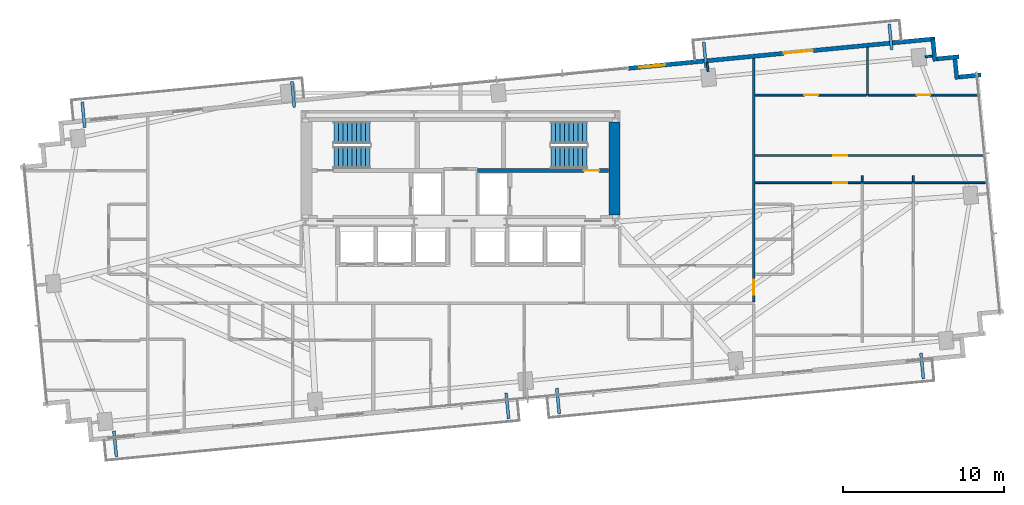
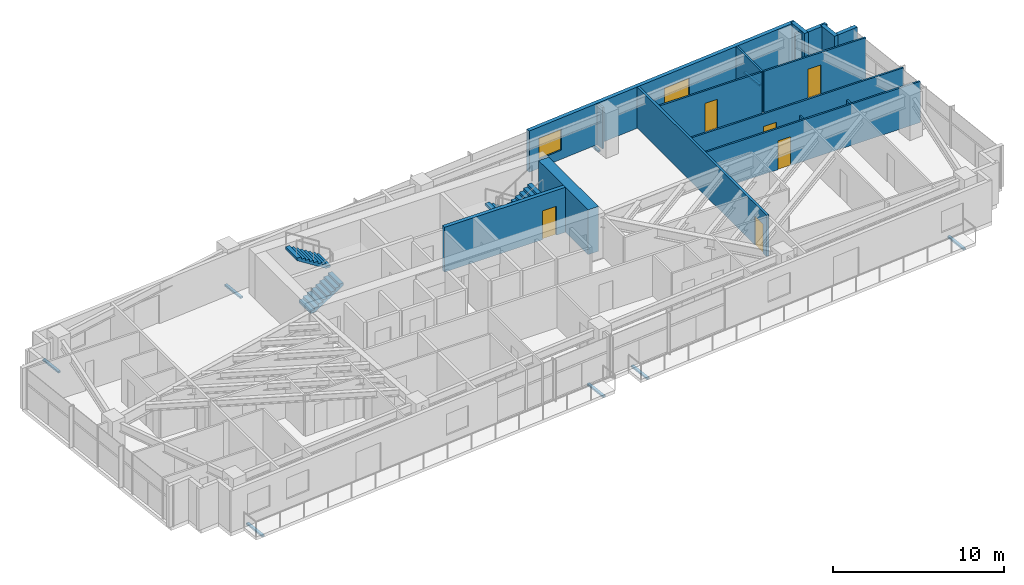
# One storey, part 22 of 25: 17 walls, 8 discrete accessories, 7 doors, 4 stair flights, 1 window, 8 openings, 2 elements without a shape of their own.
"""IFC4 building model written with IfcOpenShell, lengths in metres."""

from ifc_helpers import new_model, si_unit, direction, frame, frame_2d, origin, origin_2d, place, context, subcontext, project, spatial, polyline, rectangle, outline, extrude, source, transform, mapped, material, layer, layer_set, type_object, type_shapes, element, fill, aggregate, save


model = new_model("IFC4")

# Units and contexts
model_context = context("Model", 3, precision=1e-05, world=origin(), true_north=direction((0.0, 1.0)))
body_context = subcontext(model_context, "Body", "Model", "MODEL_VIEW")
ifc_project = project(units=[si_unit("LENGTHUNIT", "METRE"), si_unit("AREAUNIT", "SQUARE_METRE"), si_unit("VOLUMEUNIT", "CUBIC_METRE"), si_unit("PLANEANGLEUNIT", "RADIAN"), si_unit("MASSUNIT", "GRAM", prefix="KILO")], contexts=[model_context])

# Site, building, storey
site_placement = place(None, origin())
site = spatial("IfcSite", under=ifc_project, at=site_placement, CompositionType="ELEMENT")
building_placement = place(site_placement, origin())
building = spatial("IfcBuilding", under=site, at=building_placement, Name="Astriad Promenade Condominiums", CompositionType="ELEMENT")
storey_placement = place(building_placement, frame((0.0, 0.0, 81.0)))
storey = spatial("IfcBuildingStorey", under=building, at=storey_placement, Name="L22", CompositionType="ELEMENT", Elevation=81.0)

# Wall
ifc_material_1 = material(Name="Concrete C60/75", Category="concrete")
ifc_layer_1 = layer(ifc_material_1, 0.699951171875)
ifc_layer_set_1 = layer_set([ifc_layer_1], Name="Concrete C60/75")
wall_type_1 = type_object("IfcWallType", Name="CW-SHEAR-700", PredefinedType="SHEAR", material=ifc_layer_set_1)
wall_1_placement = place(storey_placement, frame((45.550048828125, 17.802001953125, 0.0), z_axis=(0.0, 0.0, 1.0), x_axis=(0.0, 1.0, 0.0)))
element("IfcWall", 1, at=wall_1_placement, inside=storey, type_object=wall_type_1, Name="CW-CORE-E-L22", PredefinedType="SHEAR", context=body_context, shape_type="SweptSolid", body=[
    extrude(rectangle(XDim=5.7958984375, YDim=0.699951171875, at=frame_2d((2.89794921875, 0.0))), origin(), (0.0, 0.0, 1.0), 3.199951171875),
])

# Wall, opening, door
ifc_material_2 = material(Name="Concrete C50/60", Category="concrete")
ifc_layer_2 = layer(ifc_material_2, 0.25)
ifc_layer_set_2 = layer_set([ifc_layer_2], Name="Concrete C50/60")
wall_type_2 = type_object("IfcWallType", Name="WALL-CORE-INT-250", PredefinedType="SOLIDWALL", material=ifc_layer_set_2)
wall_2_placement = place(storey_placement, frame((37.050048828125, 20.574951171875, 0.0), z_axis=(0.0, 0.0, 1.0), x_axis=(1.0, 0.0, 0.0)))
wall_2 = element("IfcWall", 2, at=wall_2_placement, inside=storey, type_object=wall_type_2, Name="CW-INT-H2-L22", PredefinedType="SOLIDWALL", context=body_context, shape_type="SweptSolid", body=[
    extrude(rectangle(XDim=8.14794921875, YDim=0.25, at=frame_2d((4.073974609375, 0.0))), origin(), (0.0, 0.0, 1.0), 3.199951171875),
])
opening_1_placement = place(wall_2_placement, frame((6.60009765625, 0.0, 0.0)))
opening_1 = element("IfcOpeningElement", 3, at=opening_1_placement, cuts=wall_2, Name="Opening FD90-ST-095", PredefinedType="OPENING", context=body_context, shape_type="SweptSolid", body=[
    extrude(rectangle(XDim=0.949951171875, YDim=2.06005859375, at=frame_2d((0.47509765625, 1.030029296875))), frame((0.0, 0.135009765625, 0.0), z_axis=(0.0, -1.0, 0.0), x_axis=(1.0, 0.0, 0.0)), (0.0, 0.0, 1.0), 0.27001953125),
])
ifc_material_3 = material(Name="Fire-Rated Hollow Metal Stair Door")
door_type_1 = type_object("IfcDoorType", Name="FD90-ST-095", OperationType="NOTDEFINED", PredefinedType="DOOR", material=ifc_material_3)
shared_shape_1 = source(origin(), body_context, "Body", "SweptSolid", [
    extrude(rectangle(XDim=0.949951171875, YDim=2.06005859375, at=frame_2d((0.47509765625, 1.030029296875))), frame((0.0, 0.02490234375, 0.0), z_axis=(0.0, -1.0, 0.0), x_axis=(1.0, 0.0, 0.0)), (0.0, 0.0, 1.0), 0.050048828125),
])
type_shapes(door_type_1, [shared_shape_1])
door_1_placement = place(opening_1_placement, origin())
door_1 = element("IfcDoor", 4, at=door_1_placement, inside=storey, type_object=door_type_1, Name="D-ST2-L22", OperationType="SINGLE_SWING_RIGHT", OverallHeight=2.06005859375, OverallWidth=0.949951171875, PredefinedType="DOOR", context=body_context, shape_type="MappedRepresentation", body=[
    mapped(shared_shape_1, transform((0.0, 0.0, 0.0), scale=1.0)),
])
fill(opening_1, door_1)

ifc_material_4 = material(Name="Fire-Rated Gypsum Partition")
ifc_layer_3 = layer(ifc_material_4, 0.159912109375)
ifc_layer_set_3 = layer_set([ifc_layer_3], Name="Fire-Rated Gypsum Partition")
wall_type_3 = type_object("IfcWallType", Name="WALL-CORR-160", PredefinedType="PARTITIONING", material=ifc_layer_set_3)
wall_3_placement = place(storey_placement, frame((54.199951171875, 12.431884765625, 0.0), z_axis=(0.0, 0.0, 1.0), x_axis=(0.0, 1.0, 0.0)))
wall_3 = element("IfcWall", 5, at=wall_3_placement, inside=storey, type_object=wall_type_3, Name="PT-COR-E-L22-S2", PredefinedType="PARTITIONING", context=body_context, shape_type="SweptSolid", body=[
    extrude(rectangle(XDim=15.095458984375, YDim=0.159912109375, at=frame_2d((7.5478515625, 0.0))), origin(), (0.0, 0.0, 1.0), 2.93994140625),
])
opening_2_placement = place(wall_3_placement, frame((0.428955078125, 0.0, 0.0)))
opening_2 = element("IfcOpeningElement", 6, at=opening_2_placement, cuts=wall_3, Name="Opening FD60-APT-095", PredefinedType="OPENING", context=body_context, shape_type="SweptSolid", body=[
    extrude(rectangle(XDim=0.949951171875, YDim=2.06005859375, at=frame_2d((0.47509765625, 1.030029296875))), frame((0.0, 0.08984375, 0.0), z_axis=(0.0, -1.0, 0.0), x_axis=(1.0, 0.0, 0.0)), (0.0, 0.0, 1.0), 0.179931640625),
])
ifc_material_5 = material(Name="Solid-Core Acoustic Timber Residence Entry Door", Category="wood")
door_type_2 = type_object("IfcDoorType", Name="FD60-APT-095", OperationType="NOTDEFINED", PredefinedType="DOOR", material=ifc_material_5)
shared_shape_2 = source(origin(), body_context, "Body", "SweptSolid", [
    extrude(rectangle(XDim=0.949951171875, YDim=2.06005859375, at=frame_2d((0.47509765625, 1.030029296875))), frame((0.0, 0.02490234375, 0.0), z_axis=(0.0, -1.0, 0.0), x_axis=(1.0, 0.0, 0.0)), (0.0, 0.0, 1.0), 0.050048828125),
])
type_shapes(door_type_2, [shared_shape_2])
door_2_placement = place(opening_2_placement, origin())
door_2 = element("IfcDoor", 7, at=door_2_placement, inside=storey, type_object=door_type_2, Name="D-ENT-L22-E1", OperationType="SINGLE_SWING_LEFT", OverallHeight=2.06005859375, OverallWidth=0.949951171875, PredefinedType="DOOR", context=body_context, shape_type="MappedRepresentation", body=[
    mapped(shared_shape_2, transform((0.0, 0.0, 0.0), scale=1.0)),
])
fill(opening_2, door_2)

# Wall, openings, door, window
ifc_material_6 = material(Name="Precast concrete C50/60", Category="concrete")
ifc_layer_4 = layer(ifc_material_6, 0.260009765625)
ifc_layer_set_4 = layer_set([ifc_layer_4], Name="Precast concrete C50/60")
wall_type_4 = type_object("IfcWallType", Name="WALL-EXT-TWR-260", PredefinedType="STANDARD", material=ifc_layer_set_4)
wall_4_placement = place(storey_placement, frame((46.40625, 26.90966796875, 0.0), z_axis=(0.0, 0.0, 1.0), x_axis=(0.995396638587, 0.095841180552, 0.0)))
wall_4 = element("IfcWall", 8, at=wall_4_placement, inside=storey, type_object=wall_type_4, Name="W-EXT-L22-N2", PredefinedType="STANDARD", context=body_context, shape_type="SweptSolid", body=[
    extrude(rectangle(XDim=19.110107421875, YDim=0.260009765625, at=frame_2d((9.55517578125, 0.0))), origin(), (0.0, 0.0, 1.0), 2.93994140625),
])
opening_3_placement = place(wall_4_placement, frame((9.68994140625, 0.0, 0.0)))
opening_3 = element("IfcOpeningElement", 9, at=opening_3_placement, cuts=wall_4, Name="Opening BD-1822-SLD", PredefinedType="OPENING", context=body_context, shape_type="SweptSolid", body=[
    extrude(rectangle(XDim=1.800048828125, YDim=2.06005859375, at=frame_2d((0.89990234375, 1.030029296875))), frame((0.0, 0.139892578125, 0.0), z_axis=(0.0, -1.0, 0.0), x_axis=(1.0, 0.0, 0.0)), (0.0, 0.0, 1.0), 0.280029296875),
])
opening_4_placement = place(wall_4_placement, frame((0.699951171875, 0.0, 0.64990234375)))
opening_4 = element("IfcOpeningElement", 10, at=opening_4_placement, cuts=wall_4, Name="Opening WIN-TWR-1620", PredefinedType="OPENING", context=body_context, shape_type="SweptSolid", body=[
    extrude(rectangle(XDim=1.60009765625, YDim=1.5, at=frame_2d((0.800048828125, 0.75))), frame((0.0, 0.139892578125, 0.0), z_axis=(0.0, -1.0, 0.0), x_axis=(1.0, 0.0, 0.0)), (0.0, 0.0, 1.0), 0.280029296875),
])
ifc_material_7 = material(Name="Thermally Broken Aluminium Sliding Balcony Door", Category="aluminium")
door_type_3 = type_object("IfcDoorType", Name="BD-1822-SLD", OperationType="NOTDEFINED", PredefinedType="DOOR", material=ifc_material_7)
shared_shape_3 = source(origin(), body_context, "Body", "SweptSolid", [
    extrude(rectangle(XDim=1.800048828125, YDim=2.06005859375, at=frame_2d((0.89990234375, 1.030029296875))), frame((0.0, 0.02490234375, 0.0), z_axis=(0.0, -1.0, 0.0), x_axis=(1.0, 0.0, 0.0)), (0.0, 0.0, 1.0), 0.050048828125),
])
type_shapes(door_type_3, [shared_shape_3])
door_3_placement = place(opening_3_placement, origin())
door_3 = element("IfcDoor", 11, at=door_3_placement, inside=storey, type_object=door_type_3, Name="BD-L22-NE", OperationType="SLIDING_TO_RIGHT", OverallHeight=2.06005859375, OverallWidth=1.800048828125, PredefinedType="DOOR", context=body_context, shape_type="MappedRepresentation", body=[
    mapped(shared_shape_3, transform((0.0, 0.0, 0.0), scale=1.0)),
])
fill(opening_3, door_3)
ifc_material_8 = material(Name="Dark Tinted Triple-Glazed Aluminium Window", Category="aluminium")
window_type = type_object("IfcWindowType", Name="WIN-TWR-1620", PartitioningType="SINGLE_PANEL", PredefinedType="WINDOW", material=ifc_material_8)
shared_shape_4 = source(origin(), body_context, "Body", "SweptSolid", [
    extrude(rectangle(XDim=1.60009765625, YDim=1.5, at=frame_2d((0.800048828125, 0.75))), frame((0.0, 0.030029296875, 0.0), z_axis=(0.0, -1.0, 0.0), x_axis=(1.0, 0.0, 0.0)), (0.0, 0.0, 1.0), 0.06005859375),
])
type_shapes(window_type, [shared_shape_4])
window_placement = place(opening_4_placement, origin())
window = element("IfcWindow", 12, at=window_placement, inside=storey, type_object=window_type, Name="WIN-L22-NE", OverallHeight=1.5, OverallWidth=1.60009765625, PartitioningType="SINGLE_PANEL", PredefinedType="WINDOW", context=body_context, shape_type="MappedRepresentation", body=[
    mapped(shared_shape_4, transform((0.0, 0.0, 0.0), scale=1.0)),
])
fill(opening_4, window)

# Walls
for number, where, z_axis, x_axis, name in (
    (13, (65.297607421875, 28.74365234375, 0.0), (0.0, 0.0, 1.0), (0.095725744959, -0.99540774648, 0.0), "W-SER-L22-09"),
    (14, (65.533203125, 27.49560546875, 0.0), (0.0, 0.0, 1.0), (0.99540774648, 0.095725744959, 0.0), "W-SER-L22-10"),
):
    element("IfcWall", number, at=place(storey_placement, frame(where, z_axis=z_axis, x_axis=x_axis)), inside=storey, type_object=wall_type_4, Name=name, PredefinedType="STANDARD", context=body_context, shape_type="SweptSolid", body=[
        extrude(rectangle(XDim=1.39501953125, YDim=0.260009765625, at=frame_2d((0.697509765625, 0.0))), origin(), (0.0, 0.0, 1.0), 2.93994140625),
    ])
wall_5_placement = place(storey_placement, frame((66.66162109375, 27.619140625, 0.0), z_axis=(0.0, 0.0, 1.0), x_axis=(0.095742423056, -0.99540614245, 0.0)))
element("IfcWall", 15, at=wall_5_placement, inside=storey, type_object=wall_type_4, Name="W-SER-L22-11", PredefinedType="STANDARD", context=body_context, shape_type="SweptSolid", body=[
    extrude(rectangle(XDim=1.394775390625, YDim=0.260009765625, at=frame_2d((0.697265625, 0.0))), origin(), (0.0, 0.0, 1.0), 2.93994140625),
])
wall_6_placement = place(storey_placement, frame((66.897216796875, 26.37109375, 0.0), z_axis=(0.0, 0.0, 1.0), x_axis=(0.995391056452, 0.09589913835, 0.0)))
element("IfcWall", 16, at=wall_6_placement, inside=storey, type_object=wall_type_4, Name="W-SER-L22-12", PredefinedType="STANDARD", context=body_context, shape_type="SweptSolid", body=[
    extrude(rectangle(XDim=1.39501953125, YDim=0.260009765625, at=frame_2d((0.697509765625, 0.0))), origin(), (0.0, 0.0, 1.0), 2.93994140625),
])
ifc_material_9 = material(Name="Acoustic Metal-Stud Gypsum Partition")
ifc_layer_5 = layer(ifc_material_9, 0.1201171875)
ifc_layer_set_5 = layer_set([ifc_layer_5], Name="Acoustic Metal-Stud Gypsum Partition")
wall_type_5 = type_object("IfcWallType", Name="WALL-PART-120", PredefinedType="PARTITIONING", material=ifc_layer_set_5)
wall_7_placement = place(storey_placement, frame((61.2451171875, 25.2548828125, 0.0), z_axis=(0.0, 0.0, 1.0), x_axis=(0.0, 1.0, 0.0)))
element("IfcWall", 17, at=wall_7_placement, inside=storey, type_object=wall_type_5, Name="PT-L22-E1-B1M", PredefinedType="PARTITIONING", context=body_context, shape_type="SweptSolid", body=[
    extrude(rectangle(XDim=2.950927734375, YDim=0.1201171875, at=frame_2d((1.4755859375, 0.0))), origin(), (0.0, 0.0, 1.0), 2.93994140625),
])

# Wall, opening, door
wall_8_placement = place(storey_placement, frame((54.281982421875, 25.2548828125, 0.0), z_axis=(0.0, 0.0, 1.0), x_axis=(1.0, 0.0, 0.0)))
wall_8 = element("IfcWall", 18, at=wall_8_placement, inside=storey, type_object=wall_type_5, Name="PT-L22-E1-B1", PredefinedType="PARTITIONING", context=body_context, shape_type="SweptSolid", body=[
    extrude(rectangle(XDim=6.901123046875, YDim=0.1201171875, at=frame_2d((3.45068359375, 0.0))), origin(), (0.0, 0.0, 1.0), 2.93994140625),
])
opening_5_placement = place(wall_8_placement, frame((3.055908203125, 0.0, 0.0)))
opening_5 = element("IfcOpeningElement", 19, at=opening_5_placement, cuts=wall_8, Name="Opening D-INT-085", PredefinedType="OPENING", context=body_context, shape_type="SweptSolid", body=[
    extrude(rectangle(XDim=0.85009765625, YDim=2.050048828125, at=frame_2d((0.425048828125, 1.02490234375))), frame((0.0, 0.070068359375, 0.0), z_axis=(0.0, -1.0, 0.0), x_axis=(1.0, 0.0, 0.0)), (0.0, 0.0, 1.0), 0.14013671875),
])
ifc_material_10 = material(Name="Painted Solid-Core Timber Room Door", Category="wood")
door_type_4 = type_object("IfcDoorType", Name="D-INT-085", OperationType="NOTDEFINED", PredefinedType="DOOR", material=ifc_material_10)
shared_shape_5 = source(origin(), body_context, "Body", "SweptSolid", [
    extrude(rectangle(XDim=0.85009765625, YDim=2.050048828125, at=frame_2d((0.425048828125, 1.02490234375))), frame((0.0, 0.02490234375, 0.0), z_axis=(0.0, -1.0, 0.0), x_axis=(1.0, 0.0, 0.0)), (0.0, 0.0, 1.0), 0.050048828125),
])
type_shapes(door_type_4, [shared_shape_5])
door_4_placement = place(opening_5_placement, origin())
door_4 = element("IfcDoor", 20, at=door_4_placement, inside=storey, type_object=door_type_4, Name="D-BD1-L22-E1", OperationType="SINGLE_SWING_RIGHT", OverallHeight=2.050048828125, OverallWidth=0.85009765625, PredefinedType="DOOR", context=body_context, shape_type="MappedRepresentation", body=[
    mapped(shared_shape_5, transform((0.0, 0.0, 0.0), scale=1.0)),
])
fill(opening_5, door_4)

wall_9_placement = place(storey_placement, frame((61.306884765625, 25.2548828125, 0.0), z_axis=(0.0, 0.0, 1.0), x_axis=(1.0, 0.0, 0.0)))
wall_9 = element("IfcWall", 21, at=wall_9_placement, inside=storey, type_object=wall_type_5, Name="PT-L22-E1-B1-S2", PredefinedType="PARTITIONING", context=body_context, shape_type="SweptSolid", body=[
    extrude(rectangle(XDim=6.888427734375, YDim=0.1201171875, at=frame_2d((3.4443359375, 0.0))), origin(), (0.0, 0.0, 1.0), 2.93994140625),
])
opening_6_placement = place(wall_9_placement, frame((2.9951171875, 0.0, 0.0)))
opening_6 = element("IfcOpeningElement", 22, at=opening_6_placement, cuts=wall_9, Name="Opening D-INT-085", PredefinedType="OPENING", context=body_context, shape_type="SweptSolid", body=[
    extrude(rectangle(XDim=0.85009765625, YDim=2.050048828125, at=frame_2d((0.425048828125, 1.02490234375))), frame((0.0, 0.070068359375, 0.0), z_axis=(0.0, -1.0, 0.0), x_axis=(1.0, 0.0, 0.0)), (0.0, 0.0, 1.0), 0.14013671875),
])
door_5_placement = place(opening_6_placement, origin())
door_5 = element("IfcDoor", 23, at=door_5_placement, inside=storey, type_object=door_type_4, Name="D-BD1B-L22-E1", OperationType="SINGLE_SWING_LEFT", OverallHeight=2.050048828125, OverallWidth=0.85009765625, PredefinedType="DOOR", context=body_context, shape_type="MappedRepresentation", body=[
    mapped(shared_shape_5, transform((0.0, 0.0, 0.0), scale=1.0)),
])
fill(opening_6, door_5)

wall_10_placement = place(storey_placement, frame((54.281982421875, 21.5048828125, 0.0), z_axis=(0.0, 0.0, 1.0), x_axis=(1.0, 0.0, 0.0)))
wall_10 = element("IfcWall", 24, at=wall_10_placement, inside=storey, type_object=wall_type_5, Name="PT-L22-E1-WDN1", PredefinedType="PARTITIONING", context=body_context, shape_type="SweptSolid", body=[
    extrude(rectangle(XDim=14.2744140625, YDim=0.1201171875, at=frame_2d((7.13720703125, 0.0))), origin(), (0.0, 0.0, 1.0), 2.93994140625),
])
opening_7_placement = place(wall_10_placement, frame((4.85302734375, 0.0, 0.0)))
opening_7 = element("IfcOpeningElement", 25, at=opening_7_placement, cuts=wall_10, Name="Opening D-INT-085", PredefinedType="OPENING", context=body_context, shape_type="SweptSolid", body=[
    extrude(rectangle(XDim=0.85009765625, YDim=2.050048828125, at=frame_2d((0.425048828125, 1.02490234375))), frame((0.0, 0.070068359375, 0.0), z_axis=(0.0, -1.0, 0.0), x_axis=(1.0, 0.0, 0.0)), (0.0, 0.0, 1.0), 0.14013671875),
])
door_6_placement = place(opening_7_placement, origin())
door_6 = element("IfcDoor", 26, at=door_6_placement, inside=storey, type_object=door_type_4, Name="D-WDN1-L22-E1", OperationType="SINGLE_SWING_RIGHT", OverallHeight=2.050048828125, OverallWidth=0.85009765625, PredefinedType="DOOR", context=body_context, shape_type="MappedRepresentation", body=[
    mapped(shared_shape_5, transform((0.0, 0.0, 0.0), scale=1.0)),
])
fill(opening_7, door_6)

wall_11_placement = place(storey_placement, frame((54.281982421875, 19.818115234375, 0.0), z_axis=(0.0, 0.0, 1.0), x_axis=(1.0, 0.0, 0.0)))
wall_11 = element("IfcWall", 27, at=wall_11_placement, inside=storey, type_object=wall_type_5, Name="PT-L22-E1-WDN3", PredefinedType="PARTITIONING", context=body_context, shape_type="SweptSolid", body=[
    extrude(rectangle(XDim=14.436767578125, YDim=0.1201171875, at=frame_2d((7.21826171875, 0.0))), origin(), (0.0, 0.0, 1.0), 2.93994140625),
])
opening_8_placement = place(wall_11_placement, frame((4.85302734375, 0.0, 0.0)))
opening_8 = element("IfcOpeningElement", 28, at=opening_8_placement, cuts=wall_11, Name="Opening D-INT-085", PredefinedType="OPENING", context=body_context, shape_type="SweptSolid", body=[
    extrude(rectangle(XDim=0.85009765625, YDim=2.050048828125, at=frame_2d((0.425048828125, 1.02490234375))), frame((0.0, 0.070068359375, 0.0), z_axis=(0.0, -1.0, 0.0), x_axis=(1.0, 0.0, 0.0)), (0.0, 0.0, 1.0), 0.14013671875),
])
door_7_placement = place(opening_8_placement, origin())
door_7 = element("IfcDoor", 29, at=door_7_placement, inside=storey, type_object=door_type_4, Name="D-WDN3-L22-E1", OperationType="SINGLE_SWING_RIGHT", OverallHeight=2.050048828125, OverallWidth=0.85009765625, PredefinedType="DOOR", context=body_context, shape_type="MappedRepresentation", body=[
    mapped(shared_shape_5, transform((0.0, 0.0, 0.0), scale=1.0)),
])
fill(opening_8, door_7)

# Walls
for number, where, z_axis, x_axis, name in (
    (30, (64.091064453125, 19.8798828125, 0.0), (0.0, 0.0, 1.0), (0.0, 1.0, 0.0), "PT-L22-E1-WDV4-S3"),
    (31, (60.909912109375, 19.8798828125, 0.0), (0.0, 0.0, 1.0), (0.0, 1.0, 0.0), "PT-L22-E1-WDV5-S3"),
):
    element("IfcWall", number, at=place(storey_placement, frame(where, z_axis=z_axis, x_axis=x_axis)), inside=storey, type_object=wall_type_5, Name=name, PredefinedType="PARTITIONING", context=body_context, shape_type="SweptSolid", body=[
        extrude(rectangle(XDim=0.378173828125, YDim=0.1201171875, at=frame_2d((0.18896484375, 0.0))), origin(), (0.0, 0.0, 1.0), 2.93994140625),
    ])
wall_12_placement = place(storey_placement, frame((51.35791015625, 26.71337890625, 0.0), z_axis=(0.0, 0.0, 1.0), x_axis=(-0.095772948675, 0.995403205893, 0.0)))
element("IfcWall", 32, at=wall_12_placement, inside=storey, type_object=wall_type_5, Name="PT-PIL-L22-PC09-16", PredefinedType="PARTITIONING", context=body_context, shape_type="SweptSolid", body=[
    extrude(rectangle(XDim=0.537841796875, YDim=0.1201171875, at=frame_2d((0.26904296875, 0.0))), origin(), (0.0, 0.0, 1.0), 2.93994140625),
])
wall_13_placement = place(storey_placement, frame((64.812255859375, 27.626953125, 0.0), z_axis=(0.0, 0.0, 1.0), x_axis=(0.995389482415, 0.095915474751, 0.0)))
element("IfcWall", 33, at=wall_13_placement, inside=storey, type_object=wall_type_5, Name="PT-PIL-L22-PC10-17", PredefinedType="PARTITIONING", context=body_context, shape_type="SweptSolid", body=[
    extrude(rectangle(XDim=0.458251953125, YDim=0.1201171875, at=frame_2d((0.22900390625, 0.0))), origin(), (0.0, 0.0, 1.0), 2.93994140625),
])

# Stair, stair flights
stair_type = type_object("IfcStairType", Name="STR-CORE-1350", PredefinedType="HALF_TURN_STAIR", material=ifc_material_2)
stair_1_placement = place(storey_placement, origin())
stair_1 = element("IfcStair", 34, at=stair_1_placement, inside=storey, type_object=stair_type, Name="L22 Enclosed Core Exit Stair ST-1", PredefinedType="HALF_TURN_STAIR")
stair_flight_type = type_object("IfcStairFlightType", Name="SFL-CORE-1350", PredefinedType="STRAIGHT", material=ifc_material_2)
shared_shape_6 = source(origin(), body_context, "Body", "SweptSolid", [
    extrude(outline(polyline([(0.0, 0.0), (0.0, 0.177734375), (0.280029296875, 0.177734375), (0.280029296875, 0.35546875), (0.56005859375, 0.35546875), (0.56005859375, 0.533447265625), (0.840087890625, 0.533447265625), (0.840087890625, 0.711181640625), (1.1201171875, 0.711181640625), (1.1201171875, 0.888916015625), (1.39990234375, 0.888916015625), (1.39990234375, 1.066650390625), (1.679931640625, 1.066650390625), (1.679931640625, 1.244384765625), (1.9599609375, 1.244384765625), (1.9599609375, 1.422119140625), (2.239990234375, 1.422119140625), (2.239990234375, 1.60009765625), (2.239990234375, 1.24462890625), (0.27978515625, 0.0), (0.0, 0.0)])), frame((0.0, 0.675048828125, 0.0), z_axis=(0.0, -1.0, 0.0), x_axis=(1.0, 0.0, 0.0)), (0.0, 0.0, 1.0), 1.35009765625),
])
type_shapes(stair_flight_type, [shared_shape_6])
stair_flight_1_placement = place(storey_placement, frame((28.14990234375, 21.375, 0.0), z_axis=(0.0, 0.0, 1.0), x_axis=(1.0, 0.0, 0.0)))
stair_flight_1 = element("IfcStairFlight", 35, at=stair_flight_1_placement, type_object=stair_flight_type, Name="ST-1 flight 1", NumberOfRisers=9, NumberOfTreads=8, PredefinedType="STRAIGHT", RiserHeight=0.177777778, TreadLength=0.28, context=body_context, shape_type="MappedRepresentation", body=[
    mapped(shared_shape_6, transform((0.0, 0.0, 0.0), scale=1.0)),
])
stair_flight_2_placement = place(storey_placement, frame((30.389892578125, 22.925048828125, 1.60009765625), z_axis=(0.0, 0.0, 1.0), x_axis=(-1.0, 0.0, 0.0)))
stair_flight_2 = element("IfcStairFlight", 36, at=stair_flight_2_placement, type_object=stair_flight_type, Name="ST-1 flight 2", NumberOfRisers=9, NumberOfTreads=8, PredefinedType="STRAIGHT", RiserHeight=0.177777778, TreadLength=0.28, context=body_context, shape_type="MappedRepresentation", body=[
    mapped(shared_shape_6, transform((0.0, 0.0, 0.0), scale=1.0)),
])
aggregate(stair_1, [stair_flight_1, stair_flight_2])

stair_2_placement = place(storey_placement, origin())
stair_2 = element("IfcStair", 37, at=stair_2_placement, inside=storey, type_object=stair_type, Name="L22 Enclosed Core Exit Stair ST-2", PredefinedType="HALF_TURN_STAIR")
stair_flight_3_placement = place(storey_placement, frame((43.85009765625, 22.925048828125, 0.0), z_axis=(0.0, 0.0, 1.0), x_axis=(-1.0, 0.0, 0.0)))
stair_flight_3 = element("IfcStairFlight", 38, at=stair_flight_3_placement, type_object=stair_flight_type, Name="ST-2 flight 1", NumberOfRisers=9, NumberOfTreads=8, PredefinedType="STRAIGHT", RiserHeight=0.177777778, TreadLength=0.28, context=body_context, shape_type="MappedRepresentation", body=[
    mapped(shared_shape_6, transform((0.0, 0.0, 0.0), scale=1.0)),
])
stair_flight_4_placement = place(storey_placement, frame((41.610107421875, 21.375, 1.60009765625), z_axis=(0.0, 0.0, 1.0), x_axis=(1.0, 0.0, 0.0)))
stair_flight_4 = element("IfcStairFlight", 39, at=stair_flight_4_placement, type_object=stair_flight_type, Name="ST-2 flight 2", NumberOfRisers=9, NumberOfTreads=8, PredefinedType="STRAIGHT", RiserHeight=0.177777778, TreadLength=0.28, context=body_context, shape_type="MappedRepresentation", body=[
    mapped(shared_shape_6, transform((0.0, 0.0, 0.0), scale=1.0)),
])
aggregate(stair_2, [stair_flight_3, stair_flight_4])

# Discrete accessories
ifc_material_11 = material(Name="Steel ASTM A572 Grade 50", Category="steel")
discrete_accessory_type = type_object("IfcDiscreteAccessoryType", Name="STEEL BALCONY OUTRIGGER BRACKET", PredefinedType="BRACKET", material=ifc_material_11)
shared_shape_7 = source(origin(), body_context, "Body", "SweptSolid", [
    extrude(rectangle(XDim=1.60009765625, YDim=0.179931640625, at=origin_2d()), origin(), (0.0, 0.0, 1.0), 0.1220703125),
])
type_shapes(discrete_accessory_type, [shared_shape_7])
for number, where, z_axis, x_axis, name in (
    (40, (14.58984375, 3.6328125, -0.340087890625), (0.0, 0.0, 1.0), (0.09584575252, -0.995396198367, 0.0), "Balcony Outrigger Bracket BAL-L22-SW-A"),
    (41, (38.915283203125, 5.97509765625, -0.340087890625), (0.0, 0.0, 1.0), (0.09584575252, -0.995396198367, 0.0), "Balcony Outrigger Bracket BAL-L22-SW-B"),
    (42, (42.055908203125, 6.277587890625, -0.340087890625), (0.0, 0.0, 1.0), (0.09584575252, -0.995396198367, 0.0), "Balcony Outrigger Bracket BAL-L22-SE-A"),
    (43, (64.63623046875, 8.451904296875, -0.340087890625), (0.0, 0.0, 1.0), (0.09584575252, -0.995396198367, 0.0), "Balcony Outrigger Bracket BAL-L22-SE-B"),
    (44, (12.625, 24.03857421875, -0.340087890625), (0.0, 0.0, 1.0), (-0.09584575252, 0.995396198367, 0.0), "Balcony Outrigger Bracket BAL-L22-NW-A"),
    (45, (25.625732421875, 25.290283203125, -0.340087890625), (0.0, 0.0, 1.0), (-0.09584575252, 0.995396198367, 0.0), "Balcony Outrigger Bracket BAL-L22-NW-B"),
    (46, (51.167724609375, 27.749755859375, -0.340087890625), (0.0, 0.0, 1.0), (-0.09584575252, 0.995396198367, 0.0), "Balcony Outrigger Bracket BAL-L22-NE-A"),
    (47, (62.67138671875, 28.857421875, -0.340087890625), (0.0, 0.0, 1.0), (-0.09584575252, 0.995396198367, 0.0), "Balcony Outrigger Bracket BAL-L22-NE-B"),
):
    element("IfcDiscreteAccessory", number, at=place(storey_placement, frame(where, z_axis=z_axis, x_axis=x_axis)), inside=storey, type_object=discrete_accessory_type, Name=name, PredefinedType="BRACKET", context=body_context, shape_type="MappedRepresentation", body=[
        mapped(shared_shape_7, transform((0.0, 0.0, 0.0), scale=1.0)),
    ])

save(model, "model.ifc")
